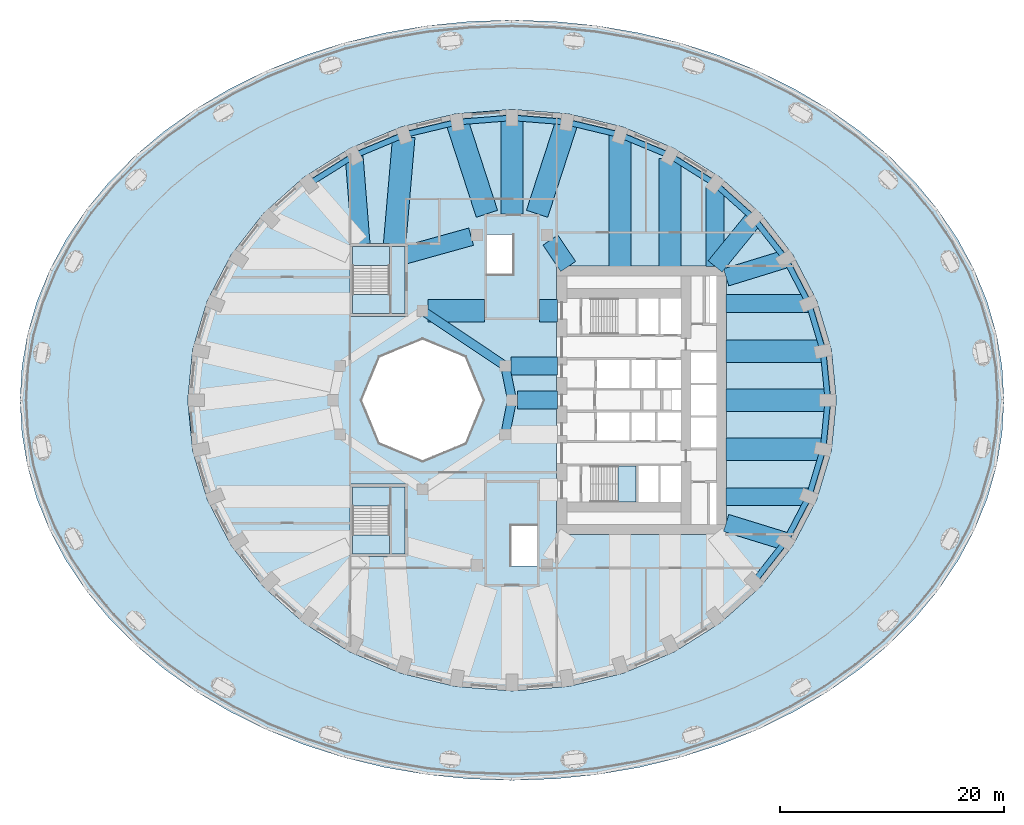
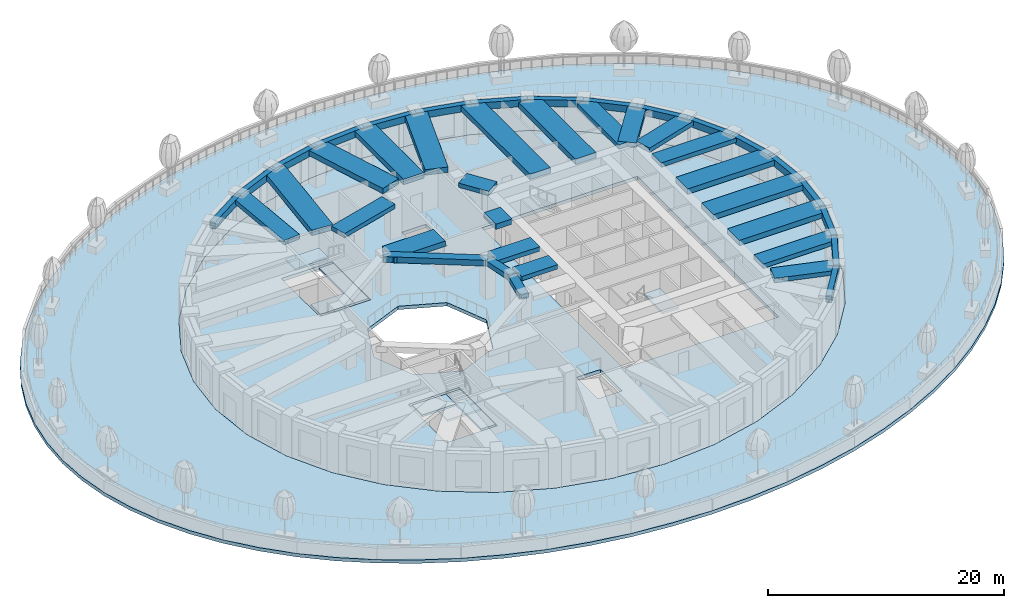
# One storey, part 2 of 17: 42 beams, 9 slabs, 3 elements without a shape of their own.
"""IFC4 building model written with IfcOpenShell, lengths in metres."""

from ifc_helpers import new_model, si_unit, direction, frame, origin, origin_2d, place, context, subcontext, project, spatial, polyline, rectangle, outline, extrude, material, layer, layer_set, material_profile, profile_set, type_object, element, aggregate, save


model = new_model("IFC4")

# Units and contexts
model_context = context("Model", 3, precision=1e-05, world=origin(), true_north=direction((0.0, 1.0)))
body_context = subcontext(model_context, "Body", "Model", "MODEL_VIEW")
ifc_project = project(units=[si_unit("LENGTHUNIT", "METRE"), si_unit("AREAUNIT", "SQUARE_METRE"), si_unit("VOLUMEUNIT", "CUBIC_METRE"), si_unit("PLANEANGLEUNIT", "RADIAN"), si_unit("MASSUNIT", "GRAM", prefix="KILO")], contexts=[model_context])

# Site, building, storey
site_placement = place(None, origin())
site = spatial("IfcSite", under=ifc_project, at=site_placement, CompositionType="ELEMENT")
building_placement = place(site_placement, origin())
building = spatial("IfcBuilding", under=site, at=building_placement, Name="Taillehof Tower", CompositionType="ELEMENT")
storey_placement = place(building_placement, frame((0.0, 0.0, 17.5)))
storey = spatial("IfcBuildingStorey", under=building, at=storey_placement, Name="L03", CompositionType="ELEMENT", Elevation=17.5)

# Beams
ifc_material_1 = material(Name="Concrete C50/60", Category="concrete")
ifc_material_profile_1 = material_profile(ifc_material_1, rectangle(XDim=0.800048828125, YDim=0.5, at=origin_2d()), Name="RC 800x500")
ifc_profile_set_1 = profile_set([ifc_material_profile_1], Name="Concrete C50/60")
beam_type_1 = type_object("IfcBeamType", Name="Atrium ring beam C50/60 800x500", PredefinedType="BEAM", material=ifc_profile_set_1)
for number, where, z_axis, x_axis, name in (
    (1, (0.0, 0.0, 3.669921875), (-0.195063155143, 0.980790683839, 0.0), (-0.980790683839, -0.195063155143, 0.0), "Atrium ring beam AB01"),
    (2, (-0.60888671875, -3.0615234375, 3.669921875), (0.195063155143, 0.980790683839, 0.0), (-0.980790683839, 0.195063155143, 0.0), "Atrium ring beam AB08"),
):
    element("IfcBeam", number, at=place(storey_placement, frame(where, z_axis=z_axis, x_axis=x_axis)), inside=storey, type_object=beam_type_1, Name=name, PredefinedType="BEAM", context=body_context, shape_type="SweptSolid", body=[
        extrude(rectangle(XDim=0.800048828125, YDim=0.5, at=origin_2d()), origin(), (0.0, 0.0, 1.0), 3.12158203125),
    ])
ifc_material_2 = material(Name="Concrete C50/60", Category="concrete")
ifc_material_profile_2 = material_profile(ifc_material_2, rectangle(XDim=0.800048828125, YDim=0.60009765625, at=origin_2d()), Name="RC 800x600")
ifc_profile_set_2 = profile_set([ifc_material_profile_2], Name="Concrete C50/60")
beam_type_2 = type_object("IfcBeamType", Name="Atrium ring beam C50/60 800x600", PredefinedType="BEAM", material=ifc_profile_set_2)
beam_1_placement = place(storey_placement, frame((-0.60888671875, 3.0615234375, 3.6201171875), z_axis=(-0.831475195687, 0.555561876804, 0.0), x_axis=(-0.555561876804, -0.831475195687, 0.0)))
element("IfcBeam", 3, at=beam_1_placement, inside=storey, type_object=beam_type_2, Name="Atrium ring beam AB02", PredefinedType="BEAM", context=body_context, shape_type="SweptSolid", body=[
    extrude(rectangle(XDim=0.800048828125, YDim=0.60009765625, at=origin_2d()), origin(), (0.0, 0.0, 1.0), 8.88916015625),
])
ifc_material_3 = material(Name="Concrete C50/60", Category="concrete")
ifc_material_profile_3 = material_profile(ifc_material_3, rectangle(XDim=1.60009765625, YDim=0.449951171875, at=origin_2d()), Name="RC 1600x450")
ifc_profile_set_3 = profile_set([ifc_material_profile_3], Name="Concrete C50/60")
beam_type_3 = type_object("IfcBeamType", Name="Radial band beam C50/60 1600x450", PredefinedType="BEAM", material=ifc_profile_set_3)
beam_2_placement = place(storey_placement, frame((26.490478515625, 8.635986328125, 3.695068359375), z_axis=(-1.0, 0.0, 0.0), x_axis=(0.0, -1.0, 0.0)))
element("IfcBeam", 4, at=beam_2_placement, inside=storey, type_object=beam_type_3, Name="Radial band beam RB03", PredefinedType="BEAM", context=body_context, shape_type="SweptSolid", body=[
    extrude(rectangle(XDim=1.60009765625, YDim=0.449951171875, at=origin_2d()), origin(), (0.0, 0.0, 1.0), 7.340576171875),
])
beam_3_placement = place(storey_placement, frame((24.46533203125, 12.625, 3.695068359375), z_axis=(-0.955535654338, -0.294875589511, 0.0), x_axis=(0.294875589511, -0.955535654338, 0.0)))
element("IfcBeam", 5, at=beam_3_placement, inside=storey, type_object=beam_type_3, Name="Radial band beam RB04", PredefinedType="BEAM", context=body_context, shape_type="SweptSolid", body=[
    extrude(rectangle(XDim=1.60009765625, YDim=0.449951171875, at=origin_2d()), origin(), (0.0, 0.0, 1.0), 5.560546875),
])
beam_4_placement = place(storey_placement, frame((21.640869140625, 16.23046875, 3.695068359375), z_axis=(-0.630988373846, -0.775792286679, 0.0), x_axis=(0.775792286679, -0.630988373846, 0.0)))
element("IfcBeam", 6, at=beam_4_placement, inside=storey, type_object=beam_type_3, Name="Radial band beam RB05", PredefinedType="BEAM", context=body_context, shape_type="SweptSolid", body=[
    extrude(rectangle(XDim=1.60009765625, YDim=0.449951171875, at=origin_2d()), origin(), (0.0, 0.0, 1.0), 5.503173828125),
])
beam_5_placement = place(storey_placement, frame((18.15869140625, 19.05517578125, 3.695068359375), z_axis=(0.0, -1.0, 0.0), x_axis=(1.0, 0.0, 0.0)))
element("IfcBeam", 7, at=beam_5_placement, inside=storey, type_object=beam_type_3, Name="Radial band beam RB06", PredefinedType="BEAM", context=body_context, shape_type="SweptSolid", body=[
    extrude(rectangle(XDim=1.60009765625, YDim=0.449951171875, at=origin_2d()), origin(), (0.0, 0.0, 1.0), 7.105224609375),
])
beam_6_placement = place(storey_placement, frame((-14.119873046875, 21.802978515625, 3.695068359375), z_axis=(0.079184740988, -0.996859958467, 0.0), x_axis=(0.996859958467, 0.079184740988, 0.0)))
element("IfcBeam", 8, at=beam_6_placement, inside=storey, type_object=beam_type_3, Name="Radial band beam RB13", PredefinedType="BEAM", context=body_context, shape_type="SweptSolid", body=[
    extrude(rectangle(XDim=1.60009765625, YDim=0.449951171875, at=origin_2d()), origin(), (0.0, 0.0, 1.0), 7.87744140625),
])
beam_7_placement = place(storey_placement, frame((24.46533203125, -12.625, 3.695068359375), z_axis=(-0.955535654338, 0.294875589511, 0.0), x_axis=(-0.294875589511, -0.955535654338, 0.0)))
element("IfcBeam", 9, at=beam_7_placement, inside=storey, type_object=beam_type_3, Name="Radial band beam RB34", PredefinedType="BEAM", context=body_context, shape_type="SweptSolid", body=[
    extrude(rectangle(XDim=1.60009765625, YDim=0.449951171875, at=origin_2d()), origin(), (0.0, 0.0, 1.0), 5.560546875),
])
beam_8_placement = place(storey_placement, frame((26.490478515625, -8.635986328125, 3.695068359375), z_axis=(-1.0, 0.0, 0.0), x_axis=(0.0, -1.0, 0.0)))
element("IfcBeam", 10, at=beam_8_placement, inside=storey, type_object=beam_type_3, Name="Radial band beam RB35", PredefinedType="BEAM", context=body_context, shape_type="SweptSolid", body=[
    extrude(rectangle(XDim=1.60009765625, YDim=0.449951171875, at=origin_2d()), origin(), (0.0, 0.0, 1.0), 7.340576171875),
])
beam_9_placement = place(storey_placement, frame((0.5, 0.0, 3.695068359375), z_axis=(1.0, 0.0, 0.0), x_axis=(0.0, 1.0, 0.0)))
element("IfcBeam", 11, at=beam_9_placement, inside=storey, type_object=beam_type_3, Name="Inner band beam IB101", PredefinedType="BEAM", context=body_context, shape_type="SweptSolid", body=[
    extrude(rectangle(XDim=1.60009765625, YDim=0.449951171875, at=origin_2d()), origin(), (0.0, 0.0, 1.0), 3.550048828125),
])
beam_10_placement = place(storey_placement, frame((-0.10888671875, 3.0615234375, 3.695068359375), z_axis=(1.0, 0.0, 0.0), x_axis=(0.0, 1.0, 0.0)))
element("IfcBeam", 12, at=beam_10_placement, inside=storey, type_object=beam_type_3, Name="Inner band beam IB102", PredefinedType="BEAM", context=body_context, shape_type="SweptSolid", body=[
    extrude(rectangle(XDim=1.60009765625, YDim=0.449951171875, at=origin_2d()), origin(), (0.0, 0.0, 1.0), 4.158935546875),
])
beam_11_placement = place(storey_placement, frame((3.433837890625, 14.31640625, 3.695068359375), z_axis=(0.560112043398, -0.828416862962, 0.0), x_axis=(0.828416862962, 0.560112043398, 0.0)))
element("IfcBeam", 13, at=beam_11_placement, inside=storey, type_object=beam_type_3, Name="Inner band beam IB205", PredefinedType="BEAM", context=body_context, shape_type="SweptSolid", body=[
    extrude(rectangle(XDim=1.60009765625, YDim=0.449951171875, at=origin_2d()), origin(), (0.0, 0.0, 1.0), 2.84619140625),
])
beam_12_placement = place(storey_placement, frame((-3.655517578125, 14.624755859375, 3.695068359375), z_axis=(-0.963459369536, -0.267854518821, 0.0), x_axis=(0.267854518821, -0.963459369536, 0.0)))
element("IfcBeam", 14, at=beam_12_placement, inside=storey, type_object=beam_type_3, Name="Inner band beam IB206", PredefinedType="BEAM", context=body_context, shape_type="SweptSolid", body=[
    extrude(rectangle(XDim=1.60009765625, YDim=0.449951171875, at=origin_2d()), origin(), (0.0, 0.0, 1.0), 6.096923828125),
])
ifc_material_4 = material(Name="Concrete C50/60", Category="concrete")
ifc_material_profile_4 = material_profile(ifc_material_4, rectangle(XDim=2.0, YDim=0.550048828125, at=origin_2d()), Name="RC 2000x550")
ifc_profile_set_4 = profile_set([ifc_material_profile_4], Name="Concrete C50/60")
beam_type_4 = type_object("IfcBeamType", Name="Radial band beam C50/60 2000x550", PredefinedType="BEAM", material=ifc_profile_set_4)
beam_13_placement = place(storey_placement, frame((28.25, 0.0, 3.64501953125), z_axis=(-1.0, 0.0, 0.0), x_axis=(0.0, -1.0, 0.0)))
element("IfcBeam", 15, at=beam_13_placement, inside=storey, type_object=beam_type_4, Name="Radial band beam RB01", PredefinedType="BEAM", context=body_context, shape_type="SweptSolid", body=[
    extrude(rectangle(XDim=2.0, YDim=0.550048828125, at=origin_2d()), origin(), (0.0, 0.0, 1.0), 9.10009765625),
])
beam_14_placement = place(storey_placement, frame((27.82080078125, 4.384521484375, 3.64501953125), z_axis=(-1.0, 0.0, 0.0), x_axis=(0.0, -1.0, 0.0)))
element("IfcBeam", 16, at=beam_14_placement, inside=storey, type_object=beam_type_4, Name="Radial band beam RB02", PredefinedType="BEAM", context=body_context, shape_type="SweptSolid", body=[
    extrude(rectangle(XDim=2.0, YDim=0.550048828125, at=origin_2d()), origin(), (0.0, 0.0, 1.0), 8.6708984375),
])
beam_15_placement = place(storey_placement, frame((14.125, 21.63232421875, 3.64501953125), z_axis=(0.0, -1.0, 0.0), x_axis=(1.0, 0.0, 0.0)))
element("IfcBeam", 17, at=beam_15_placement, inside=storey, type_object=beam_type_4, Name="Radial band beam RB07", PredefinedType="BEAM", context=body_context, shape_type="SweptSolid", body=[
    extrude(rectangle(XDim=2.0, YDim=0.550048828125, at=origin_2d()), origin(), (0.0, 0.0, 1.0), 9.682373046875),
])
beam_16_placement = place(storey_placement, frame((9.662109375, 23.664794921875, 3.64501953125), z_axis=(0.0, -1.0, 0.0), x_axis=(1.0, 0.0, 0.0)))
element("IfcBeam", 18, at=beam_16_placement, inside=storey, type_object=beam_type_4, Name="Radial band beam RB08", PredefinedType="BEAM", context=body_context, shape_type="SweptSolid", body=[
    extrude(rectangle(XDim=2.0, YDim=0.550048828125, at=origin_2d()), origin(), (0.0, 0.0, 1.0), 11.71484375),
])
beam_17_placement = place(storey_placement, frame((4.905517578125, 24.866455078125, 3.64501953125), z_axis=(-0.309003440733, -0.951060920034, 0.0), x_axis=(0.951060920034, -0.309003440733, 0.0)))
element("IfcBeam", 19, at=beam_17_placement, inside=storey, type_object=beam_type_4, Name="Radial band beam RB09", PredefinedType="BEAM", context=body_context, shape_type="SweptSolid", body=[
    extrude(rectangle(XDim=2.0, YDim=0.550048828125, at=origin_2d()), origin(), (0.0, 0.0, 1.0), 8.618408203125),
])
beam_18_placement = place(storey_placement, frame((0.0, 25.25, 3.64501953125), z_axis=(0.0, -1.0, 0.0), x_axis=(1.0, 0.0, 0.0)))
element("IfcBeam", 20, at=beam_18_placement, inside=storey, type_object=beam_type_4, Name="Radial band beam RB10", PredefinedType="BEAM", context=body_context, shape_type="SweptSolid", body=[
    extrude(rectangle(XDim=2.0, YDim=0.550048828125, at=origin_2d()), origin(), (0.0, 0.0, 1.0), 8.580078125),
])
beam_19_placement = place(storey_placement, frame((-4.905517578125, 24.866455078125, 3.64501953125), z_axis=(0.309003440733, -0.951060920034, 0.0), x_axis=(0.951060920034, 0.309003440733, 0.0)))
element("IfcBeam", 21, at=beam_19_placement, inside=storey, type_object=beam_type_4, Name="Radial band beam RB11", PredefinedType="BEAM", context=body_context, shape_type="SweptSolid", body=[
    extrude(rectangle(XDim=2.0, YDim=0.550048828125, at=origin_2d()), origin(), (0.0, 0.0, 1.0), 8.618408203125),
])
beam_20_placement = place(storey_placement, frame((-9.675048828125, 23.575927734375, 3.64501953125), z_axis=(-0.085841202752, -0.996308831593, 0.0), x_axis=(0.996308831593, -0.085841202752, 0.0)))
element("IfcBeam", 22, at=beam_20_placement, inside=storey, type_object=beam_type_4, Name="Radial band beam RB12", PredefinedType="BEAM", context=body_context, shape_type="SweptSolid", body=[
    extrude(rectangle(XDim=2.0, YDim=0.550048828125, at=origin_2d()), origin(), (0.0, 0.0, 1.0), 9.661376953125),
])
beam_21_placement = place(storey_placement, frame((27.82080078125, -4.384521484375, 3.64501953125), z_axis=(-1.0, 0.0, 0.0), x_axis=(0.0, -1.0, 0.0)))
element("IfcBeam", 23, at=beam_21_placement, inside=storey, type_object=beam_type_4, Name="Radial band beam RB36", PredefinedType="BEAM", context=body_context, shape_type="SweptSolid", body=[
    extrude(rectangle(XDim=2.0, YDim=0.550048828125, at=origin_2d()), origin(), (0.0, 0.0, 1.0), 8.6708984375),
])
beam_22_placement = place(storey_placement, frame((-7.5, 8.0, 3.64501953125), z_axis=(1.0, 0.0, 0.0), x_axis=(0.0, 1.0, 0.0)))
element("IfcBeam", 24, at=beam_22_placement, inside=storey, type_object=beam_type_4, Name="Inner band beam IB105", PredefinedType="BEAM", context=body_context, shape_type="SweptSolid", body=[
    extrude(rectangle(XDim=2.0, YDim=0.550048828125, at=origin_2d()), origin(), (0.0, 0.0, 1.0), 5.02490234375),
])
beam_23_placement = place(storey_placement, frame((2.47509765625, 8.0, 3.64501953125), z_axis=(1.0, 0.0, 0.0), x_axis=(0.0, 1.0, 0.0)))
element("IfcBeam", 25, at=beam_23_placement, inside=storey, type_object=beam_type_4, Name="Inner band beam IB105", PredefinedType="BEAM", context=body_context, shape_type="SweptSolid", body=[
    extrude(rectangle(XDim=2.0, YDim=0.550048828125, at=origin_2d()), origin(), (0.0, 0.0, 1.0), 1.574951171875),
])
ifc_material_5 = material(Name="Concrete C50/60", Category="concrete")
ifc_material_profile_5 = material_profile(ifc_material_5, rectangle(XDim=0.5, YDim=0.699951171875, at=origin_2d()), Name="RC 500x700")
ifc_profile_set_5 = profile_set([ifc_material_profile_5], Name="Concrete C50/60")
beam_type_5 = type_object("IfcBeamType", Name="Spandrel beam C50/60 500x700", PredefinedType="SPANDREL", material=ifc_profile_set_5)
beam_24_placement = place(storey_placement, frame((28.25, 0.0, 3.570068359375), z_axis=(-0.097423973567, 0.99524297002, 0.0), x_axis=(-0.99524297002, -0.097423973567, 0.0)))
element("IfcBeam", 26, at=beam_24_placement, inside=storey, type_object=beam_type_5, Name="Spandrel beam SB01", PredefinedType="SPANDREL", context=body_context, shape_type="SweptSolid", body=[
    extrude(rectangle(XDim=0.5, YDim=0.699951171875, at=origin_2d()), origin(), (0.0, 0.0, 1.0), 4.405517578125),
])
beam_25_placement = place(storey_placement, frame((27.82080078125, 4.384521484375, 3.570068359375), z_axis=(-0.287135925407, 0.957889847707, 0.0), x_axis=(-0.957889847707, -0.287135925407, 0.0)))
element("IfcBeam", 27, at=beam_25_placement, inside=storey, type_object=beam_type_5, Name="Spandrel beam SB02", PredefinedType="SPANDREL", context=body_context, shape_type="SweptSolid", body=[
    extrude(rectangle(XDim=0.5, YDim=0.699951171875, at=origin_2d()), origin(), (0.0, 0.0, 1.0), 4.4384765625),
])
beam_26_placement = place(storey_placement, frame((26.54638671875, 8.635986328125, 3.570068359375), z_axis=(-0.462536335232, 0.886600326297, 0.0), x_axis=(-0.886600326297, -0.462536335232, 0.0)))
element("IfcBeam", 28, at=beam_26_placement, inside=storey, type_object=beam_type_5, Name="Spandrel beam SB03", PredefinedType="SPANDREL", context=body_context, shape_type="SweptSolid", body=[
    extrude(rectangle(XDim=0.5, YDim=0.699951171875, at=origin_2d()), origin(), (0.0, 0.0, 1.0), 4.499267578125),
])
beam_27_placement = place(storey_placement, frame((24.46533203125, 12.625, 3.570068359375), z_axis=(-0.616686200373, 0.787209076593, 0.0), x_axis=(-0.787209076593, -0.616686200373, 0.0)))
element("IfcBeam", 29, at=beam_27_placement, inside=storey, type_object=beam_type_5, Name="Spandrel beam SB04", PredefinedType="SPANDREL", context=body_context, shape_type="SweptSolid", body=[
    extrude(rectangle(XDim=0.5, YDim=0.699951171875, at=origin_2d()), origin(), (0.0, 0.0, 1.0), 4.580078125),
])
beam_28_placement = place(storey_placement, frame((21.640869140625, 16.23046875, 3.570068359375), z_axis=(-0.745621283614, 0.666369943366, 0.0), x_axis=(-0.666369943366, -0.745621283614, 0.0)))
element("IfcBeam", 30, at=beam_28_placement, inside=storey, type_object=beam_type_5, Name="Spandrel beam SB05", PredefinedType="SPANDREL", context=body_context, shape_type="SweptSolid", body=[
    extrude(rectangle(XDim=0.5, YDim=0.699951171875, at=origin_2d()), origin(), (0.0, 0.0, 1.0), 4.670166015625),
])
beam_29_placement = place(storey_placement, frame((18.15869140625, 19.342529296875, 3.570068359375), z_axis=(-0.847658018883, 0.530543007703, 0.0), x_axis=(-0.530543007703, -0.847658018883, 0.0)))
element("IfcBeam", 31, at=beam_29_placement, inside=storey, type_object=beam_type_5, Name="Spandrel beam SB06", PredefinedType="SPANDREL", context=body_context, shape_type="SweptSolid", body=[
    extrude(rectangle(XDim=0.5, YDim=0.699951171875, at=origin_2d()), origin(), (0.0, 0.0, 1.0), 4.758544921875),
])
beam_30_placement = place(storey_placement, frame((14.125, 21.8671875, 3.570068359375), z_axis=(-0.923035088053, 0.384715773297, 0.0), x_axis=(-0.384715773297, -0.923035088053, 0.0)))
element("IfcBeam", 32, at=beam_30_placement, inside=storey, type_object=beam_type_5, Name="Spandrel beam SB07", PredefinedType="SPANDREL", context=body_context, shape_type="SweptSolid", body=[
    extrude(rectangle(XDim=0.5, YDim=0.699951171875, at=origin_2d()), origin(), (0.0, 0.0, 1.0), 4.8349609375),
])
beam_31_placement = place(storey_placement, frame((9.662109375, 23.727294921875, 3.570068359375), z_axis=(-0.9724995553, 0.232904733616, 0.0), x_axis=(-0.232904733616, -0.9724995553, 0.0)))
element("IfcBeam", 33, at=beam_31_placement, inside=storey, type_object=beam_type_5, Name="Spandrel beam SB08", PredefinedType="SPANDREL", context=body_context, shape_type="SweptSolid", body=[
    extrude(rectangle(XDim=0.5, YDim=0.699951171875, at=origin_2d()), origin(), (0.0, 0.0, 1.0), 4.89111328125),
])
for number, where, z_axis, x_axis, name in (
    (34, (4.905517578125, 24.866455078125, 3.570068359375), (-0.996957383661, 0.077948541767, 0.0), (-0.077948541767, -0.996957383661, 0.0), "Spandrel beam SB09"),
    (35, (0.0, 25.25, 3.570068359375), (-0.996957383661, -0.077948541767, 0.0), (0.077948541767, -0.996957383661, 0.0), "Spandrel beam SB10"),
):
    element("IfcBeam", number, at=place(storey_placement, frame(where, z_axis=z_axis, x_axis=x_axis)), inside=storey, type_object=beam_type_5, Name=name, PredefinedType="SPANDREL", context=body_context, shape_type="SweptSolid", body=[
        extrude(rectangle(XDim=0.5, YDim=0.699951171875, at=origin_2d()), origin(), (0.0, 0.0, 1.0), 4.92041015625),
    ])
beam_32_placement = place(storey_placement, frame((-4.905517578125, 24.866455078125, 3.570068359375), z_axis=(-0.9724995553, -0.232904733616, 0.0), x_axis=(0.232904733616, -0.9724995553, 0.0)))
element("IfcBeam", 36, at=beam_32_placement, inside=storey, type_object=beam_type_5, Name="Spandrel beam SB11", PredefinedType="SPANDREL", context=body_context, shape_type="SweptSolid", body=[
    extrude(rectangle(XDim=0.5, YDim=0.699951171875, at=origin_2d()), origin(), (0.0, 0.0, 1.0), 4.89111328125),
])
beam_33_placement = place(storey_placement, frame((-9.662109375, 23.727294921875, 3.570068359375), z_axis=(-0.923035088053, -0.384715773297, 0.0), x_axis=(0.384715773297, -0.923035088053, 0.0)))
element("IfcBeam", 37, at=beam_33_placement, inside=storey, type_object=beam_type_5, Name="Spandrel beam SB12", PredefinedType="SPANDREL", context=body_context, shape_type="SweptSolid", body=[
    extrude(rectangle(XDim=0.5, YDim=0.699951171875, at=origin_2d()), origin(), (0.0, 0.0, 1.0), 4.8349609375),
])
beam_34_placement = place(storey_placement, frame((-14.125, 21.8671875, 3.570068359375), z_axis=(-0.847658018883, -0.530543007703, 0.0), x_axis=(0.530543007703, -0.847658018883, 0.0)))
element("IfcBeam", 38, at=beam_34_placement, inside=storey, type_object=beam_type_5, Name="Spandrel beam SB13", PredefinedType="SPANDREL", context=body_context, shape_type="SweptSolid", body=[
    extrude(rectangle(XDim=0.5, YDim=0.699951171875, at=origin_2d()), origin(), (0.0, 0.0, 1.0), 4.758544921875),
])
beam_35_placement = place(storey_placement, frame((21.640869140625, -16.23046875, 3.570068359375), z_axis=(0.616686200373, 0.787209076593, 0.0), x_axis=(-0.787209076593, 0.616686200373, 0.0)))
element("IfcBeam", 39, at=beam_35_placement, inside=storey, type_object=beam_type_5, Name="Spandrel beam SB33", PredefinedType="SPANDREL", context=body_context, shape_type="SweptSolid", body=[
    extrude(rectangle(XDim=0.5, YDim=0.699951171875, at=origin_2d()), origin(), (0.0, 0.0, 1.0), 4.580078125),
])
beam_36_placement = place(storey_placement, frame((24.46533203125, -12.625, 3.570068359375), z_axis=(0.462536335232, 0.886600326297, 0.0), x_axis=(-0.886600326297, 0.462536335232, 0.0)))
element("IfcBeam", 40, at=beam_36_placement, inside=storey, type_object=beam_type_5, Name="Spandrel beam SB34", PredefinedType="SPANDREL", context=body_context, shape_type="SweptSolid", body=[
    extrude(rectangle(XDim=0.5, YDim=0.699951171875, at=origin_2d()), origin(), (0.0, 0.0, 1.0), 4.499267578125),
])
beam_37_placement = place(storey_placement, frame((26.54638671875, -8.635986328125, 3.570068359375), z_axis=(0.287135925407, 0.957889847707, 0.0), x_axis=(-0.957889847707, 0.287135925407, 0.0)))
element("IfcBeam", 41, at=beam_37_placement, inside=storey, type_object=beam_type_5, Name="Spandrel beam SB35", PredefinedType="SPANDREL", context=body_context, shape_type="SweptSolid", body=[
    extrude(rectangle(XDim=0.5, YDim=0.699951171875, at=origin_2d()), origin(), (0.0, 0.0, 1.0), 4.4384765625),
])
beam_38_placement = place(storey_placement, frame((27.82080078125, -4.384521484375, 3.570068359375), z_axis=(0.097423973567, 0.99524297002, 0.0), x_axis=(-0.99524297002, 0.097423973567, 0.0)))
element("IfcBeam", 42, at=beam_38_placement, inside=storey, type_object=beam_type_5, Name="Spandrel beam SB36", PredefinedType="SPANDREL", context=body_context, shape_type="SweptSolid", body=[
    extrude(rectangle(XDim=0.5, YDim=0.699951171875, at=origin_2d()), origin(), (0.0, 0.0, 1.0), 4.405517578125),
])

# Slabs
ifc_material_6 = material(Name="Concrete C40/50", Category="concrete")
ifc_layer_1 = layer(ifc_material_6, 0.35009765625)
ifc_layer_set_1 = layer_set([ifc_layer_1], Name="Floor slab 350")
slab_type_1 = type_object("IfcSlabType", Name="Floor slab 350", PredefinedType="FLOOR", material=ifc_layer_set_1)
slab_1_placement = place(storey_placement, frame((0.0, 0.0, -0.35009765625)))
element("IfcSlab", 43, at=slab_1_placement, inside=storey, type_object=slab_type_1, Name="Floor slab L03", PredefinedType="FLOOR", context=body_context, shape_type="SweptSolid", body=[
    extrude(outline(polyline([(29.0, 0.0), (28.559326171875, 4.514892578125), (27.251220703125, 8.892578125), (25.11474609375, 13.0), (22.21533203125, 16.71240234375), (18.640869140625, 19.917236328125), (14.5, 22.5166015625), (9.918701171875, 24.431884765625), (5.035888671875, 25.60498046875), (0.0, 26.0), (-5.035888671875, 25.60498046875), (-9.918701171875, 24.431884765625), (-14.5, 22.5166015625), (-18.640869140625, 19.917236328125), (-22.21533203125, 16.71240234375), (-25.11474609375, 13.0), (-27.251220703125, 8.892578125), (-28.559326171875, 4.514892578125), (-29.0, 0.0), (-28.559326171875, -4.514892578125), (-27.251220703125, -8.892578125), (-25.11474609375, -13.0), (-22.21533203125, -16.71240234375), (-18.640869140625, -19.917236328125), (-14.5, -22.5166015625), (-9.918701171875, -24.431884765625), (-5.035888671875, -25.60498046875), (0.0, -26.0), (5.035888671875, -25.60498046875), (9.918701171875, -24.431884765625), (14.5, -22.5166015625), (18.640869140625, -19.917236328125), (22.21533203125, -16.71240234375), (25.11474609375, -13.0), (27.251220703125, -8.892578125), (28.559326171875, -4.514892578125), (29.0, 0.0)]), holes=[polyline([(2.22509765625, -11.179931640625), (2.22509765625, -14.819580078125), (-0.125, -14.819580078125), (-0.125, -11.179931640625), (2.22509765625, -11.179931640625)]), polyline([(-9.5, -7.5), (-9.5, -14.0), (-14.5, -14.0), (-14.5, -7.5), (-9.5, -7.5)]), polyline([(-11.88916015625, -3.88916015625), (-13.5, 0.0), (-11.88916015625, 3.88916015625), (-8.0, 5.5), (-4.11083984375, 3.88916015625), (-2.5, 0.0), (-4.11083984375, -3.88916015625), (-8.0, -5.5), (-11.88916015625, -3.88916015625)]), polyline([(19.199951171875, 12.0), (19.199951171875, -12.0), (4.0, -12.0), (4.0, 12.0), (19.199951171875, 12.0)]), polyline([(-9.5, 14.0), (-9.5, 7.5), (-14.5, 7.5), (-14.5, 14.0), (-9.5, 14.0)]), polyline([(-2.22509765625, 14.819580078125), (0.125, 14.819580078125), (0.125, 11.179931640625), (-2.22509765625, 11.179931640625), (-2.22509765625, 14.819580078125)])]), origin(), (0.0, 0.0, 1.0), 0.35009765625),
])
ifc_material_7 = material(Name="Concrete C40/50", Category="concrete")
ifc_layer_2 = layer(ifc_material_7, 0.35009765625)
ifc_layer_set_2 = layer_set([ifc_layer_2], Name="Roof terrace slab")
slab_type_2 = type_object("IfcSlabType", Name="Roof terrace slab", PredefinedType="FLOOR", material=ifc_layer_set_2)
slab_2_placement = place(storey_placement, frame((0.0, 0.0, -0.35009765625)))
element("IfcSlab", 44, at=slab_2_placement, inside=storey, type_object=slab_type_2, Name="Podium roof terrace", PredefinedType="FLOOR", context=body_context, shape_type="SweptSolid", body=[
    extrude(outline(polyline([(44.0, 0.0), (43.83251953125, 2.96337890625), (43.33154296875, 5.904052734375), (42.500732421875, 8.7998046875), (41.346435546875, 11.628662109375), (39.87744140625, 14.369140625), (38.105224609375, 17.0), (36.042724609375, 19.501708984375), (33.7060546875, 21.854736328125), (31.11279296875, 24.041748046875), (28.28271484375, 26.04541015625), (25.2373046875, 27.85107421875), (22.0, 29.44482421875), (18.59521484375, 30.814453125), (15.048828125, 31.949462890625), (11.387939453125, 32.841552734375), (7.640625, 33.4833984375), (3.8349609375, 33.87060546875), (0.0, 34.0), (-3.8349609375, 33.87060546875), (-7.640625, 33.4833984375), (-11.387939453125, 32.841552734375), (-15.048828125, 31.949462890625), (-18.59521484375, 30.814453125), (-22.0, 29.44482421875), (-25.2373046875, 27.85107421875), (-28.28271484375, 26.04541015625), (-31.11279296875, 24.041748046875), (-33.7060546875, 21.854736328125), (-36.042724609375, 19.501708984375), (-38.105224609375, 17.0), (-39.87744140625, 14.369140625), (-41.346435546875, 11.628662109375), (-42.500732421875, 8.7998046875), (-43.33154296875, 5.904052734375), (-43.83251953125, 2.96337890625), (-44.0, 0.0), (-43.83251953125, -2.96337890625), (-43.33154296875, -5.904052734375), (-42.500732421875, -8.7998046875), (-41.346435546875, -11.628662109375), (-39.87744140625, -14.369140625), (-38.105224609375, -17.0), (-36.042724609375, -19.501708984375), (-33.7060546875, -21.854736328125), (-31.11279296875, -24.041748046875), (-28.28271484375, -26.04541015625), (-25.2373046875, -27.85107421875), (-22.0, -29.44482421875), (-18.59521484375, -30.814453125), (-15.048828125, -31.949462890625), (-11.387939453125, -32.841552734375), (-7.640625, -33.4833984375), (-3.8349609375, -33.87060546875), (0.0, -34.0), (3.8349609375, -33.87060546875), (7.640625, -33.4833984375), (11.387939453125, -32.841552734375), (15.048828125, -31.949462890625), (18.59521484375, -30.814453125), (22.0, -29.44482421875), (25.2373046875, -27.85107421875), (28.28271484375, -26.04541015625), (31.11279296875, -24.041748046875), (33.7060546875, -21.854736328125), (36.042724609375, -19.501708984375), (38.105224609375, -17.0), (39.87744140625, -14.369140625), (41.346435546875, -11.628662109375), (42.500732421875, -8.7998046875), (43.33154296875, -5.904052734375), (43.83251953125, -2.96337890625), (44.0, 0.0)]), holes=[polyline([(29.0, 0.0), (28.559326171875, 4.514892578125), (27.2509765625, 8.892578125), (25.11474609375, 13.0), (22.21533203125, 16.71240234375), (18.640869140625, 19.917236328125), (14.5, 22.5166015625), (9.918701171875, 24.43212890625), (5.035888671875, 25.60498046875), (0.0, 26.0), (-5.035888671875, 25.60498046875), (-9.918701171875, 24.43212890625), (-14.5, 22.5166015625), (-18.640869140625, 19.917236328125), (-22.21533203125, 16.71240234375), (-25.11474609375, 13.0), (-27.2509765625, 8.892578125), (-28.559326171875, 4.514892578125), (-29.0, 0.0), (-28.559326171875, -4.514892578125), (-27.2509765625, -8.892578125), (-25.11474609375, -13.0), (-22.21533203125, -16.71240234375), (-18.640869140625, -19.917236328125), (-14.5, -22.5166015625), (-9.918701171875, -24.43212890625), (-5.035888671875, -25.60498046875), (0.0, -26.0), (5.035888671875, -25.60498046875), (9.918701171875, -24.43212890625), (14.5, -22.5166015625), (18.640869140625, -19.917236328125), (22.21533203125, -16.71240234375), (25.11474609375, -13.0), (27.2509765625, -8.892578125), (28.559326171875, -4.514892578125), (29.0, 0.0)])]), origin(), (0.0, 0.0, 1.0), 0.35009765625),
])

# Stair, slab
ifc_material_8 = material(Name="Concrete C40/50", Category="concrete")
stair_type = type_object("IfcStairType", Name="Exit stair half-turn", PredefinedType="HALF_TURN_STAIR", material=ifc_material_8)
stair_1_placement = place(storey_placement, origin())
stair_1 = element("IfcStair", 45, at=stair_1_placement, inside=storey, type_object=stair_type, Name="Exit stair S2", PredefinedType="HALF_TURN_STAIR")
ifc_material_9 = material(Name="Concrete C40/50", Category="concrete")
ifc_layer_3 = layer(ifc_material_9, 0.2099609375)
ifc_layer_set_3 = layer_set([ifc_layer_3], Name="Stair landing C40/50 210")
slab_type_3 = type_object("IfcSlabType", Name="Stair landing C40/50 210", PredefinedType="LANDING", material=ifc_layer_set_3)
slab_3_placement = place(storey_placement, frame((0.0, 0.0, 1.889892578125)))
slab_3 = element("IfcSlab", 46, at=slab_3_placement, type_object=slab_type_3, Name="S2 landing 1", PredefinedType="LANDING", context=body_context, shape_type="SweptSolid", body=[
    extrude(outline(polyline([(9.5, -5.89990234375), (11.10009765625, -5.89990234375), (11.10009765625, -9.10009765625), (9.5, -9.10009765625), (9.5, -5.89990234375)])), origin(), (0.0, 0.0, 1.0), 0.210205078125),
])
aggregate(stair_1, [slab_3])

stair_2_placement = place(storey_placement, origin())
stair_2 = element("IfcStair", 47, at=stair_2_placement, inside=storey, type_object=stair_type, Name="Exit stair S3", PredefinedType="HALF_TURN_STAIR")
slab_4_placement = place(storey_placement, frame((0.0, 0.0, 1.889892578125)))
slab_4 = element("IfcSlab", 48, at=slab_4_placement, type_object=slab_type_3, Name="S3 landing 1", PredefinedType="LANDING", context=body_context, shape_type="SweptSolid", body=[
    extrude(outline(polyline([(-14.25, 12.050048828125), (-14.25, 13.75), (-10.949951171875, 13.75), (-10.949951171875, 12.050048828125), (-14.25, 12.050048828125)])), origin(), (0.0, 0.0, 1.0), 0.210205078125),
])
aggregate(stair_2, [slab_4])

stair_3_placement = place(storey_placement, origin())
stair_3 = element("IfcStair", 49, at=stair_3_placement, inside=storey, type_object=stair_type, Name="Exit stair S4", PredefinedType="HALF_TURN_STAIR")
slab_5_placement = place(storey_placement, frame((0.0, 0.0, 1.889892578125)))
slab_5 = element("IfcSlab", 50, at=slab_5_placement, type_object=slab_type_3, Name="S4 landing 1", PredefinedType="LANDING", context=body_context, shape_type="SweptSolid", body=[
    extrude(outline(polyline([(-14.25, -12.050048828125), (-14.25, -13.75), (-10.949951171875, -13.75), (-10.949951171875, -12.050048828125), (-14.25, -12.050048828125)])), origin(), (0.0, 0.0, 1.0), 0.210205078125),
])
aggregate(stair_3, [slab_5])

# Slabs
slab_6_placement = place(storey_placement, frame((0.0, 0.0, -0.2099609375)))
element("IfcSlab", 51, at=slab_6_placement, inside=storey, type_object=slab_type_3, Name="Stair S3 floor landing", PredefinedType="LANDING", context=body_context, shape_type="SweptSolid", body=[
    extrude(outline(polyline([(-14.25, 7.75), (-14.25, 9.449951171875), (-10.949951171875, 9.449951171875), (-10.949951171875, 7.75), (-14.25, 7.75)])), origin(), (0.0, 0.0, 1.0), 0.2099609375),
])
slab_7_placement = place(storey_placement, frame((0.0, 0.0, -0.2099609375)))
element("IfcSlab", 52, at=slab_7_placement, inside=storey, type_object=slab_type_3, Name="Stair lobby S3 floor", PredefinedType="LANDING", context=body_context, shape_type="SweptSolid", body=[
    extrude(outline(polyline([(-10.949951171875, 7.75), (-9.550048828125, 7.75), (-9.550048828125, 13.75), (-10.949951171875, 13.75), (-10.949951171875, 7.75)])), origin(), (0.0, 0.0, 1.0), 0.2099609375),
])
slab_8_placement = place(storey_placement, frame((0.0, 0.0, -0.2099609375)))
element("IfcSlab", 53, at=slab_8_placement, inside=storey, type_object=slab_type_3, Name="Stair S4 floor landing", PredefinedType="LANDING", context=body_context, shape_type="SweptSolid", body=[
    extrude(outline(polyline([(-14.25, -7.75), (-14.25, -9.449951171875), (-10.949951171875, -9.449951171875), (-10.949951171875, -7.75), (-14.25, -7.75)])), origin(), (0.0, 0.0, 1.0), 0.2099609375),
])
slab_9_placement = place(storey_placement, frame((0.0, 0.0, -0.2099609375)))
element("IfcSlab", 54, at=slab_9_placement, inside=storey, type_object=slab_type_3, Name="Stair lobby S4 floor", PredefinedType="LANDING", context=body_context, shape_type="SweptSolid", body=[
    extrude(outline(polyline([(-10.949951171875, -13.75), (-9.550048828125, -13.75), (-9.550048828125, -7.75), (-10.949951171875, -7.75), (-10.949951171875, -13.75)])), origin(), (0.0, 0.0, 1.0), 0.2099609375),
])

save(model, "model.ifc")
